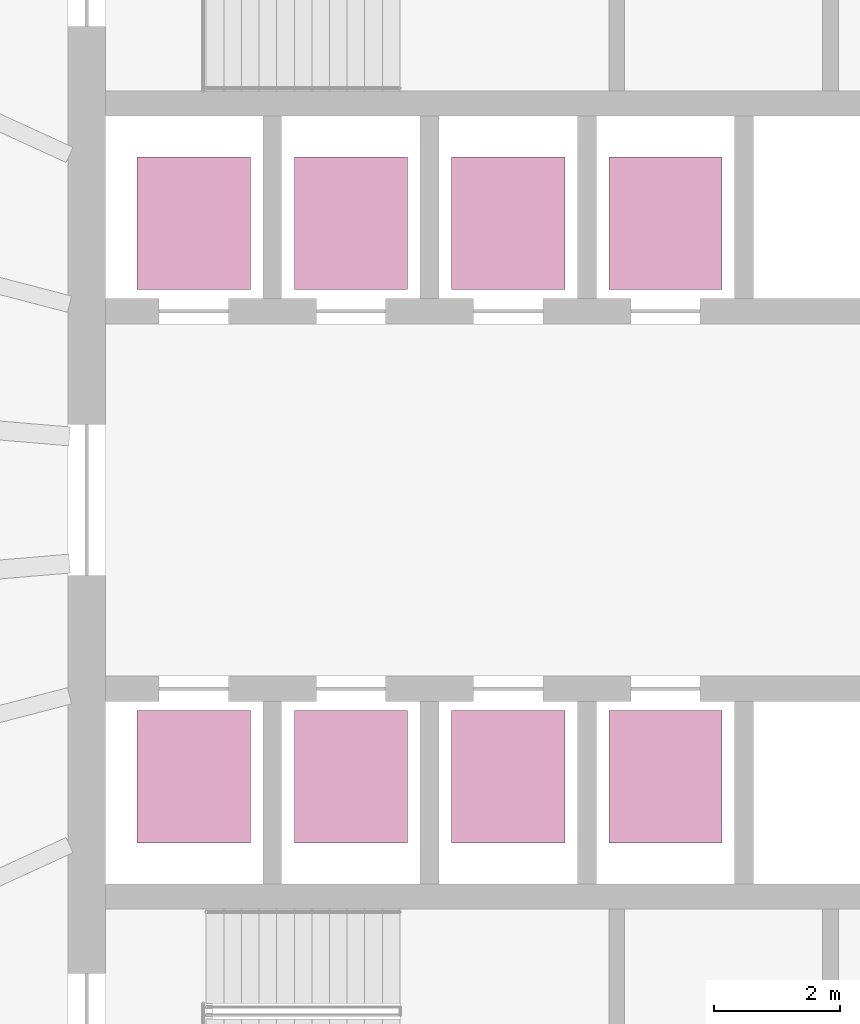
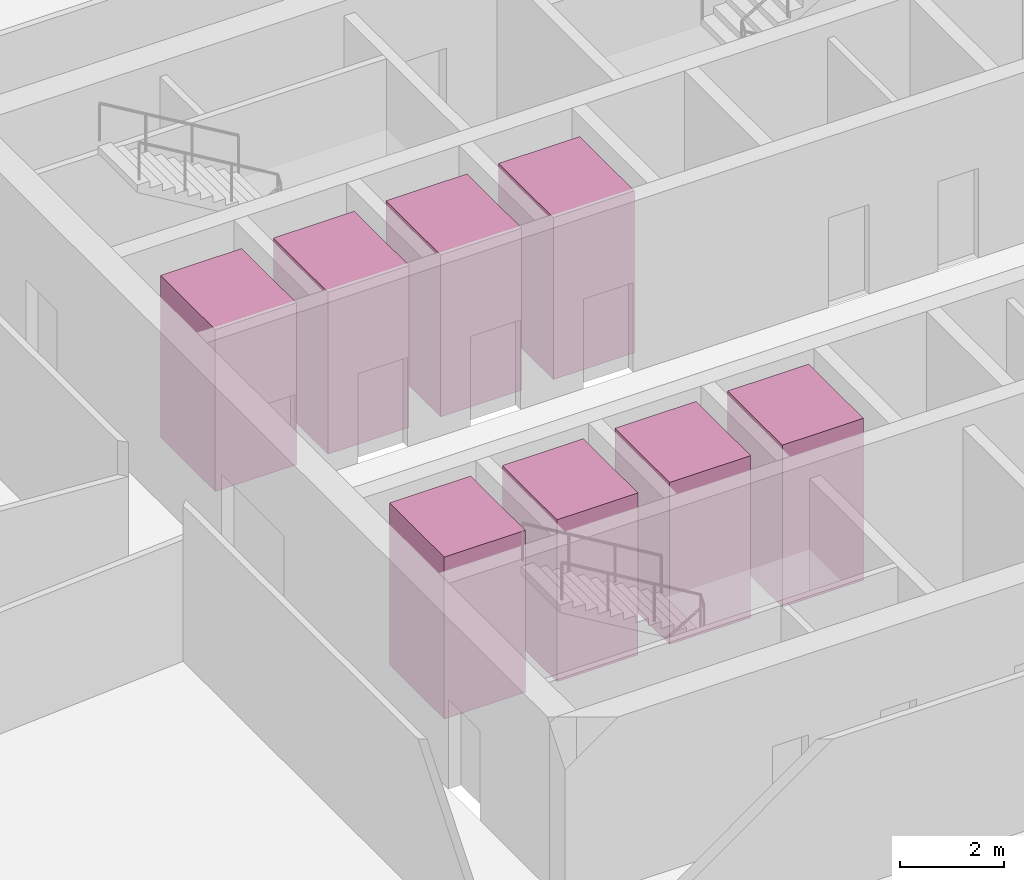
# One storey, part 10 of 10: 8 transport elements.
"""IFC4 building model written with IfcOpenShell, lengths in metres."""

from ifc_helpers import new_model, si_unit, direction, frame, origin, origin_2d, place, context, subcontext, project, spatial, rectangle, extrude, material, type_object, element, save


model = new_model("IFC4")

# Units and contexts
model_context = context("Model", 3, precision=1e-05, world=origin(), true_north=direction((0.0, 1.0)))
body_context = subcontext(model_context, "Body", "Model", "MODEL_VIEW")
ifc_project = project(units=[si_unit("LENGTHUNIT", "METRE"), si_unit("AREAUNIT", "SQUARE_METRE"), si_unit("VOLUMEUNIT", "CUBIC_METRE"), si_unit("PLANEANGLEUNIT", "RADIAN"), si_unit("MASSUNIT", "GRAM", prefix="KILO")], contexts=[model_context])

# Site, building, storey
site_placement = place(None, origin())
site = spatial("IfcSite", under=ifc_project, at=site_placement, CompositionType="ELEMENT")
building_placement = place(site_placement, origin())
building = spatial("IfcBuilding", under=site, at=building_placement, Name="Halqa Exchange Tower", CompositionType="ELEMENT")
storey_placement = place(building_placement, frame((0.0, 0.0, 246.89990234375)))
storey = spatial("IfcBuildingStorey", under=building, at=storey_placement, Name="L57", CompositionType="ELEMENT", Elevation=246.89990234375)

# Transport elements
ifc_material = material(Name="Stainless steel", Category="steel")
transport_element_type_1 = type_object("IfcTransportElementType", Name="High-rise passenger lift 1800 x 2100", PredefinedType="ELEVATOR", material=ifc_material)
for number, where, z_axis, x_axis, name in (
    (1, (-10.0, 4.39990234375, 0.0), (0.0, 0.0, 1.0), (1.0, 0.0, 0.0), "High-rise passenger lift HR1"),
    (2, (-7.5, 4.39990234375, 0.0), (0.0, 0.0, 1.0), (1.0, 0.0, 0.0), "High-rise passenger lift HR2"),
    (3, (-10.0, -4.39990234375, 0.0), (0.0, 0.0, 1.0), (1.0, 0.0, 0.0), "High-rise passenger lift HR3"),
    (4, (-7.5, -4.39990234375, 0.0), (0.0, 0.0, 1.0), (1.0, 0.0, 0.0), "High-rise passenger lift HR4"),
):
    element("IfcTransportElement", number, at=place(storey_placement, frame(where, z_axis=z_axis, x_axis=x_axis)), inside=storey, type_object=transport_element_type_1, Name=name, PredefinedType="ELEVATOR", context=body_context, shape_type="SweptSolid", body=[
        extrude(rectangle(XDim=1.800048828125, YDim=2.10009765625, at=origin_2d()), origin(), (0.0, 0.0, 1.0), 3.800048828125),
    ])
transport_element_type_2 = type_object("IfcTransportElementType", Name="Mid-rise passenger lift 1800 x 2100", PredefinedType="ELEVATOR", material=ifc_material)
for number, where, z_axis, x_axis, name in (
    (5, (-5.0, 4.39990234375, 0.0), (0.0, 0.0, 1.0), (1.0, 0.0, 0.0), "Mid-rise passenger lift MR1"),
    (6, (-2.5, 4.39990234375, 0.0), (0.0, 0.0, 1.0), (1.0, 0.0, 0.0), "Mid-rise passenger lift MR2"),
    (7, (-5.0, -4.39990234375, 0.0), (0.0, 0.0, 1.0), (1.0, 0.0, 0.0), "Mid-rise passenger lift MR3"),
    (8, (-2.5, -4.39990234375, 0.0), (0.0, 0.0, 1.0), (1.0, 0.0, 0.0), "Mid-rise passenger lift MR4"),
):
    element("IfcTransportElement", number, at=place(storey_placement, frame(where, z_axis=z_axis, x_axis=x_axis)), inside=storey, type_object=transport_element_type_2, Name=name, PredefinedType="ELEVATOR", context=body_context, shape_type="SweptSolid", body=[
        extrude(rectangle(XDim=1.800048828125, YDim=2.10009765625, at=origin_2d()), origin(), (0.0, 0.0, 1.0), 3.800048828125),
    ])

save(model, "model.ifc")
